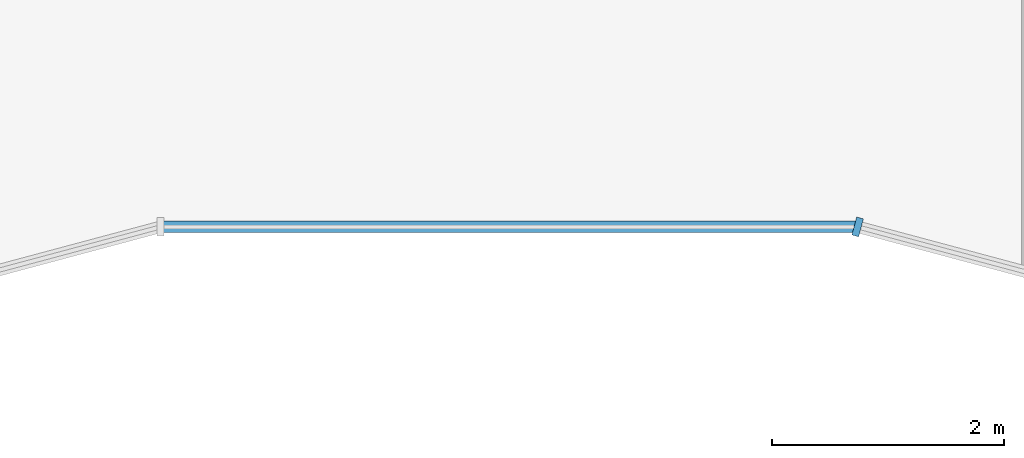
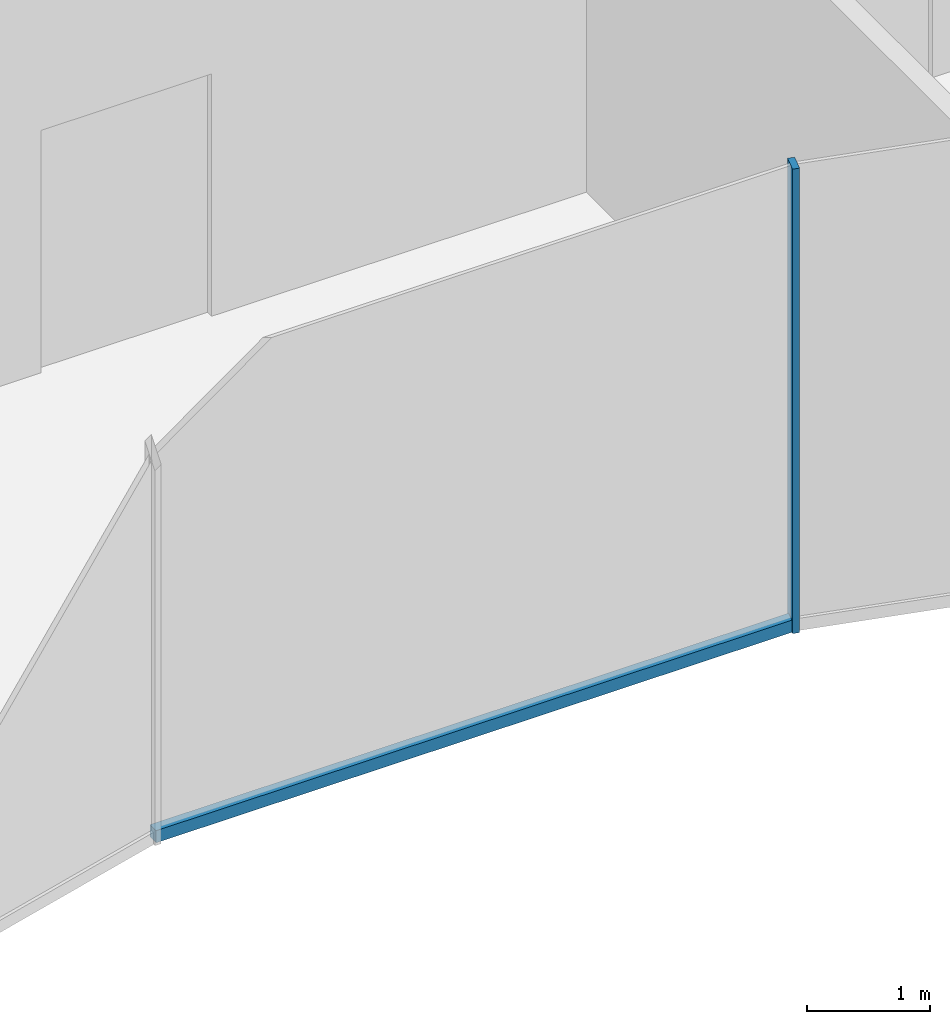
# One storey, part 3 of 13: 2 members, 2 elements without a shape of their own.
"""IFC4 building model written with IfcOpenShell, lengths in metres."""

from ifc_helpers import new_model, si_unit, direction, frame, origin, origin_2d, place, context, subcontext, project, spatial, rectangle, extrude, material, layer, layer_set, material_profile, profile_set, type_object, element, aggregate, save


model = new_model("IFC4")

# Units and contexts
model_context = context("Model", 3, precision=1e-05, world=origin(), true_north=direction((0.0, 1.0)))
body_context = subcontext(model_context, "Body", "Model", "MODEL_VIEW")
ifc_project = project(units=[si_unit("LENGTHUNIT", "METRE"), si_unit("AREAUNIT", "SQUARE_METRE"), si_unit("VOLUMEUNIT", "CUBIC_METRE"), si_unit("PLANEANGLEUNIT", "RADIAN"), si_unit("MASSUNIT", "GRAM", prefix="KILO")], contexts=[model_context])

# Site, building, storey
site_placement = place(None, origin())
site = spatial("IfcSite", under=ifc_project, at=site_placement, CompositionType="ELEMENT")
building_placement = place(site_placement, origin())
building = spatial("IfcBuilding", under=site, at=building_placement, Name="Plateau Cross Towers", CompositionType="ELEMENT")
storey_placement = place(building_placement, frame((0.0, 0.0, 134.60009765625)))
storey = spatial("IfcBuildingStorey", under=building, at=storey_placement, Name="L34", CompositionType="ELEMENT", Elevation=134.60009765625)

# Curtain wall, member
ifc_material_1 = material(Name="Dark low-iron glass", Category="glass")
ifc_layer = layer(ifc_material_1, 0.260009765625)
ifc_layer_set = layer_set([ifc_layer], Name="Dark low-iron glass")
curtain_wall_type = type_object("IfcCurtainWallType", Name="Curtain wall fluted unitised CW-A", PredefinedType="NOTDEFINED", material=ifc_layer_set)
curtain_wall_1_placement = place(storey_placement, origin())
curtain_wall_1 = element("IfcCurtainWall", 1, at=curtain_wall_1_placement, inside=storey, type_object=curtain_wall_type, Name="ENV/A/L34/A300_16", PredefinedType="NOTDEFINED")
ifc_material_2 = material(Name="Black anodised aluminium", Category="aluminium")
ifc_material_profile_1 = material_profile(ifc_material_2, rectangle(XDim=0.06005859375, YDim=0.159912109375, at=origin_2d()), Name="MULLION 60x160")
ifc_profile_set_1 = profile_set([ifc_material_profile_1], Name="Black anodised aluminium")
member_type_1 = type_object("IfcMemberType", Name="Mullion 60x160 fluted unitised", PredefinedType="MULLION", material=ifc_profile_set_1)
member_1_placement = place(storey_placement, frame((30.0, 1.60693359375, -0.300048828125), z_axis=(0.0, 0.0, 1.0), x_axis=(0.965957983404, -0.258699003279, 0.0)))
member_1 = element("IfcMember", 2, at=member_1_placement, type_object=member_type_1, Name="CW-A mullion 1", PredefinedType="MULLION", context=body_context, shape_type="SweptSolid", body=[
    extrude(rectangle(XDim=0.06005859375, YDim=0.159912109375, at=origin_2d()), origin(), (0.0, 0.0, 1.0), 4.599853515625),
])
aggregate(curtain_wall_1, [member_1])

curtain_wall_2_placement = place(storey_placement, origin())
curtain_wall_2 = element("IfcCurtainWall", 3, at=curtain_wall_2_placement, inside=storey, type_object=curtain_wall_type, Name="ENV/A/L34/A240_16", PredefinedType="NOTDEFINED")
ifc_material_profile_2 = material_profile(ifc_material_2, rectangle(XDim=0.10009765625, YDim=0.1201171875, at=origin_2d()), Name="TRANSOM 100x120")
ifc_profile_set_2 = profile_set([ifc_material_profile_2], Name="Black anodised aluminium")
member_type_2 = type_object("IfcMemberType", Name="Transom 100x120 fluted unitised", PredefinedType="USERDEFINED", material=ifc_profile_set_2)
member_2_placement = place(storey_placement, frame((24.0, 1.60693359375, -0.239990234375), z_axis=(1.0, 0.0, 0.0), x_axis=(0.0, 1.0, 0.0)))
member_2 = element("IfcMember", 4, at=member_2_placement, type_object=member_type_2, Name="CW-A transom", ObjectType="TRANSOM", PredefinedType="USERDEFINED", context=body_context, shape_type="SweptSolid", body=[
    extrude(rectangle(XDim=0.10009765625, YDim=0.1201171875, at=origin_2d()), origin(), (0.0, 0.0, 1.0), 6.0),
])
aggregate(curtain_wall_2, [member_2])

save(model, "model.ifc")
